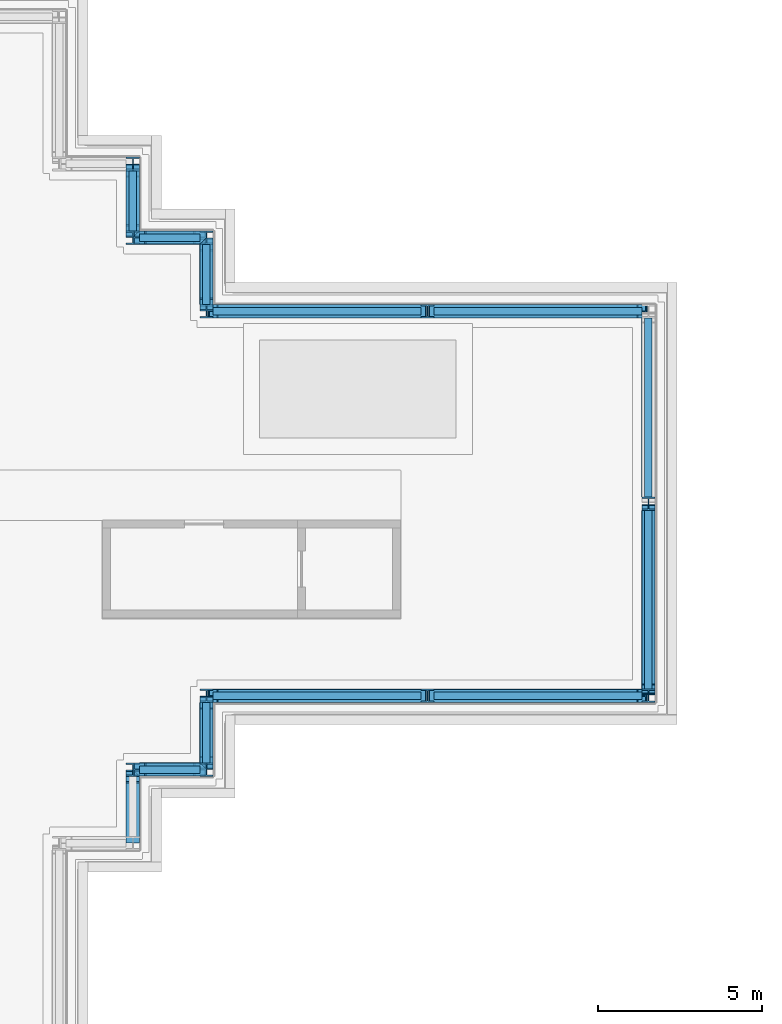
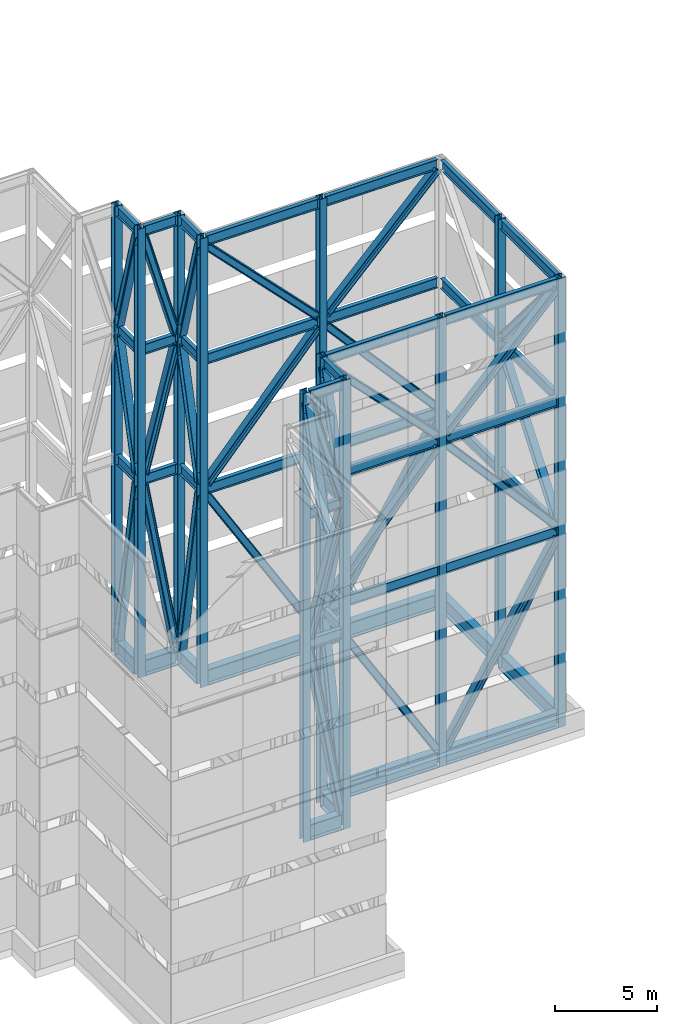
# One storey, part 3 of 19: 86 members.
"""IFC4 building model written with IfcOpenShell, lengths in metres."""

from ifc_helpers import new_model, si_unit, direction, frame, origin, origin_2d, place, context, subcontext, project, spatial, i_section, extrude, material, material_profile, profile_set, type_object, element, save


model = new_model("IFC4")

# Units and contexts
model_context = context("Model", 3, precision=1e-05, world=origin(), true_north=direction((0.0, 1.0)))
body_context = subcontext(model_context, "Body", "Model", "MODEL_VIEW")
ifc_project = project(units=[si_unit("LENGTHUNIT", "METRE"), si_unit("AREAUNIT", "SQUARE_METRE"), si_unit("VOLUMEUNIT", "CUBIC_METRE"), si_unit("PLANEANGLEUNIT", "RADIAN"), si_unit("MASSUNIT", "GRAM", prefix="KILO")], contexts=[model_context])

# Site, building, storey
site_placement = place(None, origin())
site = spatial("IfcSite", under=ifc_project, at=site_placement, CompositionType="ELEMENT")
building_placement = place(site_placement, origin())
building = spatial("IfcBuilding", under=site, at=building_placement, Name="Shamsa Quay Exchange Towers", CompositionType="ELEMENT")
storey_placement = place(building_placement, frame((0.0, 0.0, 284.300048828125)))
storey = spatial("IfcBuildingStorey", under=building, at=storey_placement, Name="Roof", CompositionType="ELEMENT", Elevation=284.300048828125)

# Members
ifc_material = material(Name="Steel S355", Category="steel")
ifc_material_profile_1 = material_profile(ifc_material, i_section(OverallWidth=0.423095703125, OverallDepth=0.947265625, WebThickness=0.02392578125, FlangeThickness=0.042724609375, at=origin_2d()), Name="W36x302")
ifc_profile_set_1 = profile_set([ifc_material_profile_1], Name="Steel S355")
member_type_1 = type_object("IfcMemberType", Name="Crown frame base ring girder W36x302", PredefinedType="USERDEFINED", material=ifc_profile_set_1)
member_1_placement = place(storey_placement, frame((-25.421875, -8.125, 0.4736328125), z_axis=(1.0, 0.0, 0.0), x_axis=(0.0, 1.0, 0.0)))
element("IfcMember", 1, at=member_1_placement, inside=storey, type_object=member_type_1, Name="Crown frame base ring girder T1", ObjectType="CROWN FRAME", PredefinedType="USERDEFINED", context=body_context, shape_type="SweptSolid", body=[
    extrude(i_section(OverallWidth=0.423095703125, OverallDepth=0.947265625, WebThickness=0.02392578125, FlangeThickness=0.042724609375, at=origin_2d()), origin(), (0.0, 0.0, 1.0), 1.84375),
])
member_2_placement = place(storey_placement, frame((-23.375, -7.9169921875, 0.4736328125), z_axis=(0.0, 1.0, 0.0), x_axis=(-1.0, 0.0, 0.0)))
element("IfcMember", 2, at=member_2_placement, inside=storey, type_object=member_type_1, Name="Crown frame base ring girder T1", ObjectType="CROWN FRAME", PredefinedType="USERDEFINED", context=body_context, shape_type="SweptSolid", body=[
    extrude(i_section(OverallWidth=0.423095703125, OverallDepth=0.947265625, WebThickness=0.02392578125, FlangeThickness=0.042724609375, at=origin_2d()), origin(), (0.0, 0.0, 1.0), 1.833984375),
])
for number, where, z_axis, x_axis, name in (
    (3, (-23.171875, -5.875, 0.4736328125), (1.0, 0.0, 0.0), (0.0, 1.0, 0.0), "Crown frame base ring girder T1"),
    (4, (-16.421875, -5.875, 0.4736328125), (1.0, 0.0, 0.0), (0.0, 1.0, 0.0), "Crown frame base ring girder T1"),
):
    element("IfcMember", number, at=place(storey_placement, frame(where, z_axis=z_axis, x_axis=x_axis)), inside=storey, type_object=member_type_1, Name=name, ObjectType="CROWN FRAME", PredefinedType="USERDEFINED", context=body_context, shape_type="SweptSolid", body=[
        extrude(i_section(OverallWidth=0.423095703125, OverallDepth=0.947265625, WebThickness=0.02392578125, FlangeThickness=0.042724609375, at=origin_2d()), origin(), (0.0, 0.0, 1.0), 6.34375),
    ])
for number, where, z_axis, x_axis, name in (
    (5, (-9.875, -5.6669921875, 0.4736328125), (0.0, 1.0, 0.0), (-1.0, 0.0, 0.0), "Crown frame base ring girder T1"),
    (6, (-9.875, 0.2080078125, 0.4736328125), (0.0, 1.0, 0.0), (-1.0, 0.0, 0.0), "Crown frame base ring girder T1"),
):
    element("IfcMember", number, at=place(storey_placement, frame(where, z_axis=z_axis, x_axis=x_axis)), inside=storey, type_object=member_type_1, Name=name, ObjectType="CROWN FRAME", PredefinedType="USERDEFINED", context=body_context, shape_type="SweptSolid", body=[
        extrude(i_section(OverallWidth=0.423095703125, OverallDepth=0.947265625, WebThickness=0.02392578125, FlangeThickness=0.042724609375, at=origin_2d()), origin(), (0.0, 0.0, 1.0), 5.458984375),
    ])
for number, where, z_axis, x_axis, name in (
    (7, (-10.078125, 5.875, 0.4736328125), (-1.0, 0.0, 0.0), (0.0, -1.0, 0.0), "Crown frame base ring girder T1"),
    (8, (-16.828125, 5.875, 0.4736328125), (-1.0, 0.0, 0.0), (0.0, -1.0, 0.0), "Crown frame base ring girder T1"),
):
    element("IfcMember", number, at=place(storey_placement, frame(where, z_axis=z_axis, x_axis=x_axis)), inside=storey, type_object=member_type_1, Name=name, ObjectType="CROWN FRAME", PredefinedType="USERDEFINED", context=body_context, shape_type="SweptSolid", body=[
        extrude(i_section(OverallWidth=0.423095703125, OverallDepth=0.947265625, WebThickness=0.02392578125, FlangeThickness=0.042724609375, at=origin_2d()), origin(), (0.0, 0.0, 1.0), 6.34375),
    ])
member_3_placement = place(storey_placement, frame((-23.375, 6.0830078125, 0.4736328125), z_axis=(0.0, 1.0, 0.0), x_axis=(-1.0, 0.0, 0.0)))
element("IfcMember", 9, at=member_3_placement, inside=storey, type_object=member_type_1, Name="Crown frame base ring girder T1", ObjectType="CROWN FRAME", PredefinedType="USERDEFINED", context=body_context, shape_type="SweptSolid", body=[
    extrude(i_section(OverallWidth=0.423095703125, OverallDepth=0.947265625, WebThickness=0.02392578125, FlangeThickness=0.042724609375, at=origin_2d()), origin(), (0.0, 0.0, 1.0), 1.833984375),
])
member_4_placement = place(storey_placement, frame((-23.578125, 8.125, 0.4736328125), z_axis=(-1.0, 0.0, 0.0), x_axis=(0.0, -1.0, 0.0)))
element("IfcMember", 10, at=member_4_placement, inside=storey, type_object=member_type_1, Name="Crown frame base ring girder T1", ObjectType="CROWN FRAME", PredefinedType="USERDEFINED", context=body_context, shape_type="SweptSolid", body=[
    extrude(i_section(OverallWidth=0.423095703125, OverallDepth=0.947265625, WebThickness=0.02392578125, FlangeThickness=0.042724609375, at=origin_2d()), origin(), (0.0, 0.0, 1.0), 1.84375),
])
member_5_placement = place(storey_placement, frame((-25.625, 8.3330078125, 0.4736328125), z_axis=(0.0, 1.0, 0.0), x_axis=(-1.0, 0.0, 0.0)))
element("IfcMember", 11, at=member_5_placement, inside=storey, type_object=member_type_1, Name="Crown frame base ring girder T1", ObjectType="CROWN FRAME", PredefinedType="USERDEFINED", context=body_context, shape_type="SweptSolid", body=[
    extrude(i_section(OverallWidth=0.423095703125, OverallDepth=0.947265625, WebThickness=0.02392578125, FlangeThickness=0.042724609375, at=origin_2d()), origin(), (0.0, 0.0, 1.0), 1.833984375),
])
ifc_material_profile_2 = material_profile(ifc_material, i_section(OverallWidth=0.403564453125, OverallDepth=0.407470703125, WebThickness=0.027099609375, FlangeThickness=0.043701171875, at=origin_2d()), Name="W14x233")
ifc_profile_set_2 = profile_set([ifc_material_profile_2], Name="Steel S355")
member_type_2 = type_object("IfcMemberType", Name="Crown frame brace W14x233", PredefinedType="USERDEFINED", material=ifc_profile_set_2)
member_6_placement = place(storey_placement, frame((-25.625, -10.1669921875, 19.805908203125), z_axis=(0.0, 0.272250291508, 0.962226469587), x_axis=(-1.0, 0.0, 0.0)))
element("IfcMember", 12, at=member_6_placement, inside=storey, type_object=member_type_2, Name="Crown frame brace T1", ObjectType="CROWN FRAME", PredefinedType="USERDEFINED", context=body_context, shape_type="SweptSolid", body=[
    extrude(i_section(OverallWidth=0.403564453125, OverallDepth=0.407470703125, WebThickness=0.027099609375, FlangeThickness=0.043701171875, at=origin_2d()), origin(), (0.0, 0.0, 1.0), 6.736328125),
])
member_7_placement = place(storey_placement, frame((-25.421875, -8.125, 11.393798828125), z_axis=(0.173807653572, 0.0, -0.984779619793), x_axis=(0.0, 1.0, 0.0)))
element("IfcMember", 13, at=member_7_placement, inside=storey, type_object=member_type_2, Name="Crown frame brace T1", ObjectType="CROWN FRAME", PredefinedType="USERDEFINED", context=body_context, shape_type="SweptSolid", body=[
    extrude(i_section(OverallWidth=0.403564453125, OverallDepth=0.407470703125, WebThickness=0.027099609375, FlangeThickness=0.043701171875, at=origin_2d()), origin(), (0.0, 0.0, 1.0), 10.60791015625),
])
member_8_placement = place(storey_placement, frame((-25.421875, -8.125, 12.006103515625), z_axis=(0.248468754818, 0.0, 0.96863991136), x_axis=(0.0, 1.0, 0.0)))
element("IfcMember", 14, at=member_8_placement, inside=storey, type_object=member_type_2, Name="Crown frame brace T1", ObjectType="CROWN FRAME", PredefinedType="USERDEFINED", context=body_context, shape_type="SweptSolid", body=[
    extrude(i_section(OverallWidth=0.403564453125, OverallDepth=0.407470703125, WebThickness=0.027099609375, FlangeThickness=0.043701171875, at=origin_2d()), origin(), (0.0, 0.0, 1.0), 7.42041015625),
])
member_9_placement = place(storey_placement, frame((-25.421875, -8.125, 26.287841796875), z_axis=(0.27359172731, 0.0, -0.961845916323), x_axis=(0.0, 1.0, 0.0)))
element("IfcMember", 15, at=member_9_placement, inside=storey, type_object=member_type_2, Name="Crown frame brace T1", ObjectType="CROWN FRAME", PredefinedType="USERDEFINED", context=body_context, shape_type="SweptSolid", body=[
    extrude(i_section(OverallWidth=0.403564453125, OverallDepth=0.407470703125, WebThickness=0.027099609375, FlangeThickness=0.043701171875, at=origin_2d()), origin(), (0.0, 0.0, 1.0), 6.739013671875),
])
member_10_placement = place(storey_placement, frame((-23.375, -7.9169921875, 0.947265625), z_axis=(0.0, 0.17291465847, 0.984936810606), x_axis=(-1.0, 0.0, 0.0)))
element("IfcMember", 16, at=member_10_placement, inside=storey, type_object=member_type_2, Name="Crown frame brace T1", ObjectType="CROWN FRAME", PredefinedType="USERDEFINED", context=body_context, shape_type="SweptSolid", body=[
    extrude(i_section(OverallWidth=0.403564453125, OverallDepth=0.407470703125, WebThickness=0.027099609375, FlangeThickness=0.043701171875, at=origin_2d()), origin(), (0.0, 0.0, 1.0), 10.606201171875),
])
member_11_placement = place(storey_placement, frame((-23.375, -7.9169921875, 19.19384765625), z_axis=(0.0, 0.247233355894, -0.968955967902), x_axis=(-1.0, 0.0, 0.0)))
element("IfcMember", 17, at=member_11_placement, inside=storey, type_object=member_type_2, Name="Crown frame brace T1", ObjectType="CROWN FRAME", PredefinedType="USERDEFINED", context=body_context, shape_type="SweptSolid", body=[
    extrude(i_section(OverallWidth=0.403564453125, OverallDepth=0.407470703125, WebThickness=0.027099609375, FlangeThickness=0.043701171875, at=origin_2d()), origin(), (0.0, 0.0, 1.0), 7.41796875),
])
member_12_placement = place(storey_placement, frame((-23.375, -7.9169921875, 19.805908203125), z_axis=(0.0, 0.272250291508, 0.962226469587), x_axis=(-1.0, 0.0, 0.0)))
element("IfcMember", 18, at=member_12_placement, inside=storey, type_object=member_type_2, Name="Crown frame brace T1", ObjectType="CROWN FRAME", PredefinedType="USERDEFINED", context=body_context, shape_type="SweptSolid", body=[
    extrude(i_section(OverallWidth=0.403564453125, OverallDepth=0.407470703125, WebThickness=0.027099609375, FlangeThickness=0.043701171875, at=origin_2d()), origin(), (0.0, 0.0, 1.0), 6.736328125),
])
member_13_placement = place(storey_placement, frame((-23.171875, -5.875, 11.393798828125), z_axis=(0.519050588784, 0.0, -0.854743520761), x_axis=(0.0, 1.0, 0.0)))
element("IfcMember", 19, at=member_13_placement, inside=storey, type_object=member_type_2, Name="Crown frame brace T1", ObjectType="CROWN FRAME", PredefinedType="USERDEFINED", context=body_context, shape_type="SweptSolid", body=[
    extrude(i_section(OverallWidth=0.403564453125, OverallDepth=0.407470703125, WebThickness=0.027099609375, FlangeThickness=0.043701171875, at=origin_2d()), origin(), (0.0, 0.0, 1.0), 12.221923828125),
])
member_14_placement = place(storey_placement, frame((-23.171875, -5.875, 12.006103515625), z_axis=(0.661716808405, 0.0, 0.74975386993), x_axis=(0.0, 1.0, 0.0)))
element("IfcMember", 20, at=member_14_placement, inside=storey, type_object=member_type_2, Name="Crown frame brace T1", ObjectType="CROWN FRAME", PredefinedType="USERDEFINED", context=body_context, shape_type="SweptSolid", body=[
    extrude(i_section(OverallWidth=0.403564453125, OverallDepth=0.407470703125, WebThickness=0.027099609375, FlangeThickness=0.043701171875, at=origin_2d()), origin(), (0.0, 0.0, 1.0), 9.5869140625),
])
member_15_placement = place(storey_placement, frame((-23.171875, -5.875, 26.287841796875), z_axis=(0.699447836177, 0.0, -0.714683653421), x_axis=(0.0, 1.0, 0.0)))
element("IfcMember", 21, at=member_15_placement, inside=storey, type_object=member_type_2, Name="Crown frame brace T1", ObjectType="CROWN FRAME", PredefinedType="USERDEFINED", context=body_context, shape_type="SweptSolid", body=[
    extrude(i_section(OverallWidth=0.403564453125, OverallDepth=0.407470703125, WebThickness=0.027099609375, FlangeThickness=0.043701171875, at=origin_2d()), origin(), (0.0, 0.0, 1.0), 9.069580078125),
])
member_16_placement = place(storey_placement, frame((-16.421875, -5.875, 0.947265625), z_axis=(0.519050588784, 0.0, 0.854743520761), x_axis=(0.0, 1.0, 0.0)))
element("IfcMember", 22, at=member_16_placement, inside=storey, type_object=member_type_2, Name="Crown frame brace T1", ObjectType="CROWN FRAME", PredefinedType="USERDEFINED", context=body_context, shape_type="SweptSolid", body=[
    extrude(i_section(OverallWidth=0.403564453125, OverallDepth=0.407470703125, WebThickness=0.027099609375, FlangeThickness=0.043701171875, at=origin_2d()), origin(), (0.0, 0.0, 1.0), 12.221923828125),
])
member_17_placement = place(storey_placement, frame((-16.421875, -5.875, 19.19384765625), z_axis=(0.661716808405, 0.0, -0.74975386993), x_axis=(0.0, 1.0, 0.0)))
element("IfcMember", 23, at=member_17_placement, inside=storey, type_object=member_type_2, Name="Crown frame brace T1", ObjectType="CROWN FRAME", PredefinedType="USERDEFINED", context=body_context, shape_type="SweptSolid", body=[
    extrude(i_section(OverallWidth=0.403564453125, OverallDepth=0.407470703125, WebThickness=0.027099609375, FlangeThickness=0.043701171875, at=origin_2d()), origin(), (0.0, 0.0, 1.0), 9.5869140625),
])
member_18_placement = place(storey_placement, frame((-16.421875, -5.875, 19.805908203125), z_axis=(0.699447836177, 0.0, 0.714683653421), x_axis=(0.0, 1.0, 0.0)))
element("IfcMember", 24, at=member_18_placement, inside=storey, type_object=member_type_2, Name="Crown frame brace T1", ObjectType="CROWN FRAME", PredefinedType="USERDEFINED", context=body_context, shape_type="SweptSolid", body=[
    extrude(i_section(OverallWidth=0.403564453125, OverallDepth=0.407470703125, WebThickness=0.027099609375, FlangeThickness=0.043701171875, at=origin_2d()), origin(), (0.0, 0.0, 1.0), 9.069580078125),
])
member_19_placement = place(storey_placement, frame((-9.875, -5.6669921875, 11.393798828125), z_axis=(0.0, 0.46314070047, -0.886284768891), x_axis=(-1.0, 0.0, 0.0)))
element("IfcMember", 25, at=member_19_placement, inside=storey, type_object=member_type_2, Name="Crown frame brace T1", ObjectType="CROWN FRAME", PredefinedType="USERDEFINED", context=body_context, shape_type="SweptSolid", body=[
    extrude(i_section(OverallWidth=0.403564453125, OverallDepth=0.407470703125, WebThickness=0.027099609375, FlangeThickness=0.043701171875, at=origin_2d()), origin(), (0.0, 0.0, 1.0), 11.786865234375),
])
member_20_placement = place(storey_placement, frame((-9.875, -5.6669921875, 12.006103515625), z_axis=(0.0, 0.604823303721, 0.796359699681), x_axis=(-1.0, 0.0, 0.0)))
element("IfcMember", 26, at=member_20_placement, inside=storey, type_object=member_type_2, Name="Crown frame brace T1", ObjectType="CROWN FRAME", PredefinedType="USERDEFINED", context=body_context, shape_type="SweptSolid", body=[
    extrude(i_section(OverallWidth=0.403564453125, OverallDepth=0.407470703125, WebThickness=0.027099609375, FlangeThickness=0.043701171875, at=origin_2d()), origin(), (0.0, 0.0, 1.0), 9.025634765625),
])
member_21_placement = place(storey_placement, frame((-9.875, -5.6669921875, 26.287841796875), z_axis=(0.0, 0.644171231164, -0.764881314284), x_axis=(-1.0, 0.0, 0.0)))
element("IfcMember", 27, at=member_21_placement, inside=storey, type_object=member_type_2, Name="Crown frame brace T1", ObjectType="CROWN FRAME", PredefinedType="USERDEFINED", context=body_context, shape_type="SweptSolid", body=[
    extrude(i_section(OverallWidth=0.403564453125, OverallDepth=0.407470703125, WebThickness=0.027099609375, FlangeThickness=0.043701171875, at=origin_2d()), origin(), (0.0, 0.0, 1.0), 8.474365234375),
])
member_22_placement = place(storey_placement, frame((-10.078125, 5.875, 11.393798828125), z_axis=(-0.519050588784, 0.0, -0.854743520761), x_axis=(0.0, -1.0, 0.0)))
element("IfcMember", 28, at=member_22_placement, inside=storey, type_object=member_type_2, Name="Crown frame brace T1", ObjectType="CROWN FRAME", PredefinedType="USERDEFINED", context=body_context, shape_type="SweptSolid", body=[
    extrude(i_section(OverallWidth=0.403564453125, OverallDepth=0.407470703125, WebThickness=0.027099609375, FlangeThickness=0.043701171875, at=origin_2d()), origin(), (0.0, 0.0, 1.0), 12.221923828125),
])
member_23_placement = place(storey_placement, frame((-10.078125, 5.875, 12.006103515625), z_axis=(-0.661716808405, 0.0, 0.74975386993), x_axis=(0.0, -1.0, 0.0)))
element("IfcMember", 29, at=member_23_placement, inside=storey, type_object=member_type_2, Name="Crown frame brace T1", ObjectType="CROWN FRAME", PredefinedType="USERDEFINED", context=body_context, shape_type="SweptSolid", body=[
    extrude(i_section(OverallWidth=0.403564453125, OverallDepth=0.407470703125, WebThickness=0.027099609375, FlangeThickness=0.043701171875, at=origin_2d()), origin(), (0.0, 0.0, 1.0), 9.5869140625),
])
member_24_placement = place(storey_placement, frame((-10.078125, 5.875, 26.287841796875), z_axis=(-0.699447836177, 0.0, -0.714683653421), x_axis=(0.0, -1.0, 0.0)))
element("IfcMember", 30, at=member_24_placement, inside=storey, type_object=member_type_2, Name="Crown frame brace T1", ObjectType="CROWN FRAME", PredefinedType="USERDEFINED", context=body_context, shape_type="SweptSolid", body=[
    extrude(i_section(OverallWidth=0.403564453125, OverallDepth=0.407470703125, WebThickness=0.027099609375, FlangeThickness=0.043701171875, at=origin_2d()), origin(), (0.0, 0.0, 1.0), 9.069580078125),
])
member_25_placement = place(storey_placement, frame((-16.828125, 5.875, 0.947265625), z_axis=(-0.519050588784, 0.0, 0.854743520761), x_axis=(0.0, -1.0, 0.0)))
element("IfcMember", 31, at=member_25_placement, inside=storey, type_object=member_type_2, Name="Crown frame brace T1", ObjectType="CROWN FRAME", PredefinedType="USERDEFINED", context=body_context, shape_type="SweptSolid", body=[
    extrude(i_section(OverallWidth=0.403564453125, OverallDepth=0.407470703125, WebThickness=0.027099609375, FlangeThickness=0.043701171875, at=origin_2d()), origin(), (0.0, 0.0, 1.0), 12.221923828125),
])
member_26_placement = place(storey_placement, frame((-16.828125, 5.875, 19.19384765625), z_axis=(-0.661716808405, 0.0, -0.74975386993), x_axis=(0.0, -1.0, 0.0)))
element("IfcMember", 32, at=member_26_placement, inside=storey, type_object=member_type_2, Name="Crown frame brace T1", ObjectType="CROWN FRAME", PredefinedType="USERDEFINED", context=body_context, shape_type="SweptSolid", body=[
    extrude(i_section(OverallWidth=0.403564453125, OverallDepth=0.407470703125, WebThickness=0.027099609375, FlangeThickness=0.043701171875, at=origin_2d()), origin(), (0.0, 0.0, 1.0), 9.5869140625),
])
member_27_placement = place(storey_placement, frame((-16.828125, 5.875, 19.805908203125), z_axis=(-0.699447836177, 0.0, 0.714683653421), x_axis=(0.0, -1.0, 0.0)))
element("IfcMember", 33, at=member_27_placement, inside=storey, type_object=member_type_2, Name="Crown frame brace T1", ObjectType="CROWN FRAME", PredefinedType="USERDEFINED", context=body_context, shape_type="SweptSolid", body=[
    extrude(i_section(OverallWidth=0.403564453125, OverallDepth=0.407470703125, WebThickness=0.027099609375, FlangeThickness=0.043701171875, at=origin_2d()), origin(), (0.0, 0.0, 1.0), 9.069580078125),
])
member_28_placement = place(storey_placement, frame((-23.375, 6.0830078125, 11.393798828125), z_axis=(0.0, 0.17291465847, -0.984936810606), x_axis=(-1.0, 0.0, 0.0)))
element("IfcMember", 34, at=member_28_placement, inside=storey, type_object=member_type_2, Name="Crown frame brace T1", ObjectType="CROWN FRAME", PredefinedType="USERDEFINED", context=body_context, shape_type="SweptSolid", body=[
    extrude(i_section(OverallWidth=0.403564453125, OverallDepth=0.407470703125, WebThickness=0.027099609375, FlangeThickness=0.043701171875, at=origin_2d()), origin(), (0.0, 0.0, 1.0), 10.606201171875),
])
member_29_placement = place(storey_placement, frame((-23.375, 6.0830078125, 12.006103515625), z_axis=(0.0, 0.247233355894, 0.968955967902), x_axis=(-1.0, 0.0, 0.0)))
element("IfcMember", 35, at=member_29_placement, inside=storey, type_object=member_type_2, Name="Crown frame brace T1", ObjectType="CROWN FRAME", PredefinedType="USERDEFINED", context=body_context, shape_type="SweptSolid", body=[
    extrude(i_section(OverallWidth=0.403564453125, OverallDepth=0.407470703125, WebThickness=0.027099609375, FlangeThickness=0.043701171875, at=origin_2d()), origin(), (0.0, 0.0, 1.0), 7.41796875),
])
member_30_placement = place(storey_placement, frame((-23.375, 6.0830078125, 26.287841796875), z_axis=(0.0, 0.272250291508, -0.962226469587), x_axis=(-1.0, 0.0, 0.0)))
element("IfcMember", 36, at=member_30_placement, inside=storey, type_object=member_type_2, Name="Crown frame brace T1", ObjectType="CROWN FRAME", PredefinedType="USERDEFINED", context=body_context, shape_type="SweptSolid", body=[
    extrude(i_section(OverallWidth=0.403564453125, OverallDepth=0.407470703125, WebThickness=0.027099609375, FlangeThickness=0.043701171875, at=origin_2d()), origin(), (0.0, 0.0, 1.0), 6.736328125),
])
member_31_placement = place(storey_placement, frame((-23.578125, 8.125, 0.947265625), z_axis=(-0.173807653572, 0.0, 0.984779619793), x_axis=(0.0, -1.0, 0.0)))
element("IfcMember", 37, at=member_31_placement, inside=storey, type_object=member_type_2, Name="Crown frame brace T1", ObjectType="CROWN FRAME", PredefinedType="USERDEFINED", context=body_context, shape_type="SweptSolid", body=[
    extrude(i_section(OverallWidth=0.403564453125, OverallDepth=0.407470703125, WebThickness=0.027099609375, FlangeThickness=0.043701171875, at=origin_2d()), origin(), (0.0, 0.0, 1.0), 10.60791015625),
])
member_32_placement = place(storey_placement, frame((-23.578125, 8.125, 19.19384765625), z_axis=(-0.248468754818, 0.0, -0.96863991136), x_axis=(0.0, -1.0, 0.0)))
element("IfcMember", 38, at=member_32_placement, inside=storey, type_object=member_type_2, Name="Crown frame brace T1", ObjectType="CROWN FRAME", PredefinedType="USERDEFINED", context=body_context, shape_type="SweptSolid", body=[
    extrude(i_section(OverallWidth=0.403564453125, OverallDepth=0.407470703125, WebThickness=0.027099609375, FlangeThickness=0.043701171875, at=origin_2d()), origin(), (0.0, 0.0, 1.0), 7.42041015625),
])
member_33_placement = place(storey_placement, frame((-23.578125, 8.125, 19.805908203125), z_axis=(-0.27359172731, 0.0, 0.961845916323), x_axis=(0.0, -1.0, 0.0)))
element("IfcMember", 39, at=member_33_placement, inside=storey, type_object=member_type_2, Name="Crown frame brace T1", ObjectType="CROWN FRAME", PredefinedType="USERDEFINED", context=body_context, shape_type="SweptSolid", body=[
    extrude(i_section(OverallWidth=0.403564453125, OverallDepth=0.407470703125, WebThickness=0.027099609375, FlangeThickness=0.043701171875, at=origin_2d()), origin(), (0.0, 0.0, 1.0), 6.739013671875),
])
member_34_placement = place(storey_placement, frame((-25.625, 8.3330078125, 11.393798828125), z_axis=(0.0, 0.17291465847, -0.984936810606), x_axis=(-1.0, 0.0, 0.0)))
element("IfcMember", 40, at=member_34_placement, inside=storey, type_object=member_type_2, Name="Crown frame brace T1", ObjectType="CROWN FRAME", PredefinedType="USERDEFINED", context=body_context, shape_type="SweptSolid", body=[
    extrude(i_section(OverallWidth=0.403564453125, OverallDepth=0.407470703125, WebThickness=0.027099609375, FlangeThickness=0.043701171875, at=origin_2d()), origin(), (0.0, 0.0, 1.0), 10.606201171875),
])
member_35_placement = place(storey_placement, frame((-25.625, 8.3330078125, 12.006103515625), z_axis=(0.0, 0.247233355894, 0.968955967902), x_axis=(-1.0, 0.0, 0.0)))
element("IfcMember", 41, at=member_35_placement, inside=storey, type_object=member_type_2, Name="Crown frame brace T1", ObjectType="CROWN FRAME", PredefinedType="USERDEFINED", context=body_context, shape_type="SweptSolid", body=[
    extrude(i_section(OverallWidth=0.403564453125, OverallDepth=0.407470703125, WebThickness=0.027099609375, FlangeThickness=0.043701171875, at=origin_2d()), origin(), (0.0, 0.0, 1.0), 7.41796875),
])
member_36_placement = place(storey_placement, frame((-25.625, 8.3330078125, 26.287841796875), z_axis=(0.0, 0.272250291508, -0.962226469587), x_axis=(-1.0, 0.0, 0.0)))
element("IfcMember", 42, at=member_36_placement, inside=storey, type_object=member_type_2, Name="Crown frame brace T1", ObjectType="CROWN FRAME", PredefinedType="USERDEFINED", context=body_context, shape_type="SweptSolid", body=[
    extrude(i_section(OverallWidth=0.403564453125, OverallDepth=0.407470703125, WebThickness=0.027099609375, FlangeThickness=0.043701171875, at=origin_2d()), origin(), (0.0, 0.0, 1.0), 6.736328125),
])
ifc_material_profile_3 = material_profile(ifc_material, i_section(OverallWidth=0.40625, OverallDepth=0.416015625, WebThickness=0.02978515625, FlangeThickness=0.048095703125, at=origin_2d()), Name="W14x257")
ifc_profile_set_3 = profile_set([ifc_material_profile_3], Name="Steel S355")
member_type_3 = type_object("IfcMemberType", Name="Crown frame post W14x257", PredefinedType="USERDEFINED", material=ifc_profile_set_3)
for number, where, name in (
    (43, (-25.625, -8.125, 0.0), "Crown frame post T1"),
    (44, (-23.375, -8.125, 0.0), "Crown frame post T1"),
    (45, (-23.375, -5.875, 0.0), "Crown frame post T1"),
    (46, (-16.625, -5.875, 0.0), "Crown frame post T1"),
    (47, (-9.875, -5.875, 0.0), "Crown frame post T1"),
    (48, (-9.875, 0.0, 0.0), "Crown frame post T1"),
    (49, (-16.625, 5.875, 0.0), "Crown frame post T1"),
    (50, (-23.375, 5.875, 0.0), "Crown frame post T1"),
    (51, (-23.375, 8.125, 0.0), "Crown frame post T1"),
    (52, (-25.625, 8.125, 0.0), "Crown frame post T1"),
    (53, (-25.625, 10.375, 0.0), "Crown frame post T1"),
):
    element("IfcMember", number, at=place(storey_placement, frame(where)), inside=storey, type_object=member_type_3, Name=name, ObjectType="CROWN FRAME", PredefinedType="USERDEFINED", context=body_context, shape_type="SweptSolid", body=[
        extrude(i_section(OverallWidth=0.40625, OverallDepth=0.416015625, WebThickness=0.02978515625, FlangeThickness=0.048095703125, at=origin_2d()), origin(), (0.0, 0.0, 1.0), 26.89990234375),
    ])
ifc_material_profile_4 = material_profile(ifc_material, i_section(OverallWidth=0.22900390625, OverallDepth=0.612060546875, WebThickness=0.011962890625, FlangeThickness=0.01953125, at=origin_2d()), Name="W24x84")
ifc_profile_set_4 = profile_set([ifc_material_profile_4], Name="Steel S355")
member_type_4 = type_object("IfcMemberType", Name="Crown frame ring beam W24x84", PredefinedType="USERDEFINED", material=ifc_profile_set_4)
for number, where, z_axis, x_axis, name in (
    (54, (-25.421875, -8.125, 11.699951171875), (1.0, 0.0, 0.0), (0.0, 1.0, 0.0), "Crown frame ring beam T1"),
    (55, (-25.421875, -8.125, 19.5), (1.0, 0.0, 0.0), (0.0, 1.0, 0.0), "Crown frame ring beam T1"),
    (56, (-25.421875, -8.125, 26.593994140625), (1.0, 0.0, 0.0), (0.0, 1.0, 0.0), "Crown frame ring beam T1"),
):
    element("IfcMember", number, at=place(storey_placement, frame(where, z_axis=z_axis, x_axis=x_axis)), inside=storey, type_object=member_type_4, Name=name, ObjectType="CROWN FRAME", PredefinedType="USERDEFINED", context=body_context, shape_type="SweptSolid", body=[
        extrude(i_section(OverallWidth=0.22900390625, OverallDepth=0.612060546875, WebThickness=0.011962890625, FlangeThickness=0.01953125, at=origin_2d()), origin(), (0.0, 0.0, 1.0), 1.84375),
    ])
for number, where, z_axis, x_axis, name in (
    (57, (-23.375, -7.9169921875, 11.699951171875), (0.0, 1.0, 0.0), (-1.0, 0.0, 0.0), "Crown frame ring beam T1"),
    (58, (-23.375, -7.9169921875, 19.5), (0.0, 1.0, 0.0), (-1.0, 0.0, 0.0), "Crown frame ring beam T1"),
    (59, (-23.375, -7.9169921875, 26.593994140625), (0.0, 1.0, 0.0), (-1.0, 0.0, 0.0), "Crown frame ring beam T1"),
):
    element("IfcMember", number, at=place(storey_placement, frame(where, z_axis=z_axis, x_axis=x_axis)), inside=storey, type_object=member_type_4, Name=name, ObjectType="CROWN FRAME", PredefinedType="USERDEFINED", context=body_context, shape_type="SweptSolid", body=[
        extrude(i_section(OverallWidth=0.22900390625, OverallDepth=0.612060546875, WebThickness=0.011962890625, FlangeThickness=0.01953125, at=origin_2d()), origin(), (0.0, 0.0, 1.0), 1.833984375),
    ])
for number, where, z_axis, x_axis, name in (
    (60, (-23.171875, -5.875, 11.699951171875), (1.0, 0.0, 0.0), (0.0, 1.0, 0.0), "Crown frame ring beam T1"),
    (61, (-23.171875, -5.875, 19.5), (1.0, 0.0, 0.0), (0.0, 1.0, 0.0), "Crown frame ring beam T1"),
    (62, (-23.171875, -5.875, 26.593994140625), (1.0, 0.0, 0.0), (0.0, 1.0, 0.0), "Crown frame ring beam T1"),
    (63, (-16.421875, -5.875, 11.699951171875), (1.0, 0.0, 0.0), (0.0, 1.0, 0.0), "Crown frame ring beam T1"),
    (64, (-16.421875, -5.875, 19.5), (1.0, 0.0, 0.0), (0.0, 1.0, 0.0), "Crown frame ring beam T1"),
    (65, (-16.421875, -5.875, 26.593994140625), (1.0, 0.0, 0.0), (0.0, 1.0, 0.0), "Crown frame ring beam T1"),
):
    element("IfcMember", number, at=place(storey_placement, frame(where, z_axis=z_axis, x_axis=x_axis)), inside=storey, type_object=member_type_4, Name=name, ObjectType="CROWN FRAME", PredefinedType="USERDEFINED", context=body_context, shape_type="SweptSolid", body=[
        extrude(i_section(OverallWidth=0.22900390625, OverallDepth=0.612060546875, WebThickness=0.011962890625, FlangeThickness=0.01953125, at=origin_2d()), origin(), (0.0, 0.0, 1.0), 6.34375),
    ])
for number, where, z_axis, x_axis, name in (
    (66, (-9.875, -5.6669921875, 11.699951171875), (0.0, 1.0, 0.0), (-1.0, 0.0, 0.0), "Crown frame ring beam T1"),
    (67, (-9.875, -5.6669921875, 19.5), (0.0, 1.0, 0.0), (-1.0, 0.0, 0.0), "Crown frame ring beam T1"),
    (68, (-9.875, -5.6669921875, 26.593994140625), (0.0, 1.0, 0.0), (-1.0, 0.0, 0.0), "Crown frame ring beam T1"),
    (69, (-9.875, 0.2080078125, 11.699951171875), (0.0, 1.0, 0.0), (-1.0, 0.0, 0.0), "Crown frame ring beam T1"),
    (70, (-9.875, 0.2080078125, 19.5), (0.0, 1.0, 0.0), (-1.0, 0.0, 0.0), "Crown frame ring beam T1"),
    (71, (-9.875, 0.2080078125, 26.593994140625), (0.0, 1.0, 0.0), (-1.0, 0.0, 0.0), "Crown frame ring beam T1"),
):
    element("IfcMember", number, at=place(storey_placement, frame(where, z_axis=z_axis, x_axis=x_axis)), inside=storey, type_object=member_type_4, Name=name, ObjectType="CROWN FRAME", PredefinedType="USERDEFINED", context=body_context, shape_type="SweptSolid", body=[
        extrude(i_section(OverallWidth=0.22900390625, OverallDepth=0.612060546875, WebThickness=0.011962890625, FlangeThickness=0.01953125, at=origin_2d()), origin(), (0.0, 0.0, 1.0), 5.458984375),
    ])
for number, where, z_axis, x_axis, name in (
    (72, (-10.078125, 5.875, 11.699951171875), (-1.0, 0.0, 0.0), (0.0, -1.0, 0.0), "Crown frame ring beam T1"),
    (73, (-10.078125, 5.875, 19.5), (-1.0, 0.0, 0.0), (0.0, -1.0, 0.0), "Crown frame ring beam T1"),
    (74, (-10.078125, 5.875, 26.593994140625), (-1.0, 0.0, 0.0), (0.0, -1.0, 0.0), "Crown frame ring beam T1"),
    (75, (-16.828125, 5.875, 11.699951171875), (-1.0, 0.0, 0.0), (0.0, -1.0, 0.0), "Crown frame ring beam T1"),
    (76, (-16.828125, 5.875, 19.5), (-1.0, 0.0, 0.0), (0.0, -1.0, 0.0), "Crown frame ring beam T1"),
    (77, (-16.828125, 5.875, 26.593994140625), (-1.0, 0.0, 0.0), (0.0, -1.0, 0.0), "Crown frame ring beam T1"),
):
    element("IfcMember", number, at=place(storey_placement, frame(where, z_axis=z_axis, x_axis=x_axis)), inside=storey, type_object=member_type_4, Name=name, ObjectType="CROWN FRAME", PredefinedType="USERDEFINED", context=body_context, shape_type="SweptSolid", body=[
        extrude(i_section(OverallWidth=0.22900390625, OverallDepth=0.612060546875, WebThickness=0.011962890625, FlangeThickness=0.01953125, at=origin_2d()), origin(), (0.0, 0.0, 1.0), 6.34375),
    ])
for number, where, z_axis, x_axis, name in (
    (78, (-23.375, 6.0830078125, 11.699951171875), (0.0, 1.0, 0.0), (-1.0, 0.0, 0.0), "Crown frame ring beam T1"),
    (79, (-23.375, 6.0830078125, 19.5), (0.0, 1.0, 0.0), (-1.0, 0.0, 0.0), "Crown frame ring beam T1"),
    (80, (-23.375, 6.0830078125, 26.593994140625), (0.0, 1.0, 0.0), (-1.0, 0.0, 0.0), "Crown frame ring beam T1"),
):
    element("IfcMember", number, at=place(storey_placement, frame(where, z_axis=z_axis, x_axis=x_axis)), inside=storey, type_object=member_type_4, Name=name, ObjectType="CROWN FRAME", PredefinedType="USERDEFINED", context=body_context, shape_type="SweptSolid", body=[
        extrude(i_section(OverallWidth=0.22900390625, OverallDepth=0.612060546875, WebThickness=0.011962890625, FlangeThickness=0.01953125, at=origin_2d()), origin(), (0.0, 0.0, 1.0), 1.833984375),
    ])
for number, where, z_axis, x_axis, name in (
    (81, (-23.578125, 8.125, 11.699951171875), (-1.0, 0.0, 0.0), (0.0, -1.0, 0.0), "Crown frame ring beam T1"),
    (82, (-23.578125, 8.125, 19.5), (-1.0, 0.0, 0.0), (0.0, -1.0, 0.0), "Crown frame ring beam T1"),
    (83, (-23.578125, 8.125, 26.593994140625), (-1.0, 0.0, 0.0), (0.0, -1.0, 0.0), "Crown frame ring beam T1"),
):
    element("IfcMember", number, at=place(storey_placement, frame(where, z_axis=z_axis, x_axis=x_axis)), inside=storey, type_object=member_type_4, Name=name, ObjectType="CROWN FRAME", PredefinedType="USERDEFINED", context=body_context, shape_type="SweptSolid", body=[
        extrude(i_section(OverallWidth=0.22900390625, OverallDepth=0.612060546875, WebThickness=0.011962890625, FlangeThickness=0.01953125, at=origin_2d()), origin(), (0.0, 0.0, 1.0), 1.84375),
    ])
for number, where, z_axis, x_axis, name in (
    (84, (-25.625, 8.3330078125, 11.699951171875), (0.0, 1.0, 0.0), (-1.0, 0.0, 0.0), "Crown frame ring beam T1"),
    (85, (-25.625, 8.3330078125, 19.5), (0.0, 1.0, 0.0), (-1.0, 0.0, 0.0), "Crown frame ring beam T1"),
    (86, (-25.625, 8.3330078125, 26.593994140625), (0.0, 1.0, 0.0), (-1.0, 0.0, 0.0), "Crown frame ring beam T1"),
):
    element("IfcMember", number, at=place(storey_placement, frame(where, z_axis=z_axis, x_axis=x_axis)), inside=storey, type_object=member_type_4, Name=name, ObjectType="CROWN FRAME", PredefinedType="USERDEFINED", context=body_context, shape_type="SweptSolid", body=[
        extrude(i_section(OverallWidth=0.22900390625, OverallDepth=0.612060546875, WebThickness=0.011962890625, FlangeThickness=0.01953125, at=origin_2d()), origin(), (0.0, 0.0, 1.0), 1.833984375),
    ])

save(model, "model.ifc")
